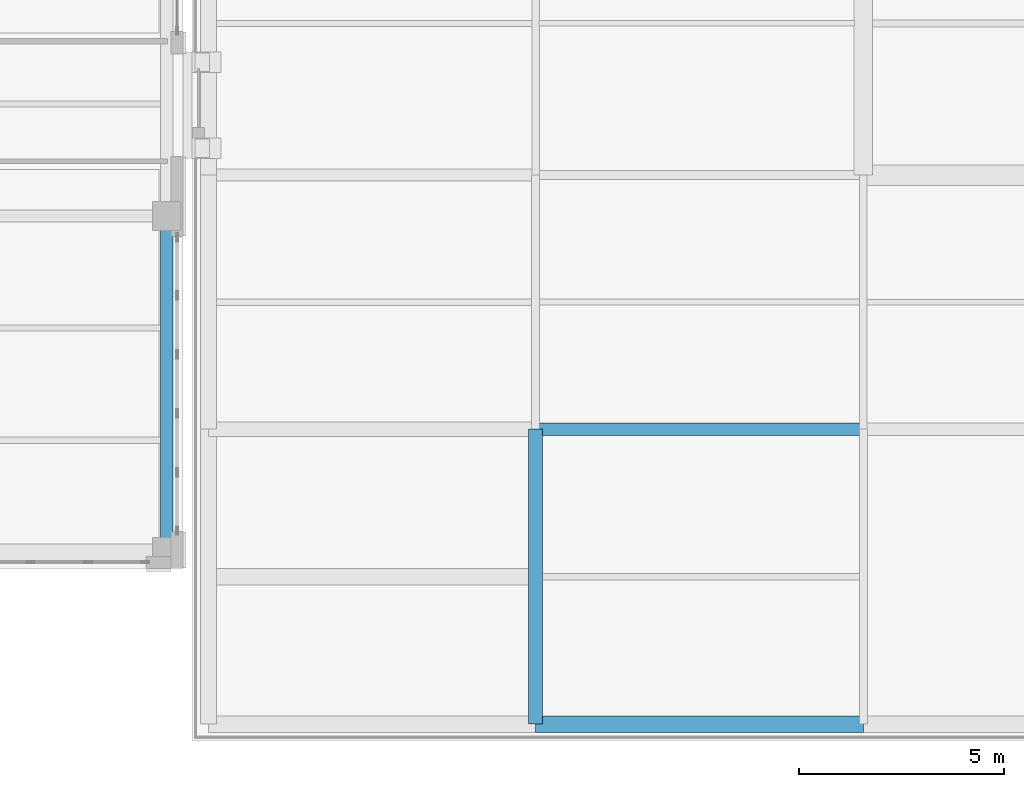
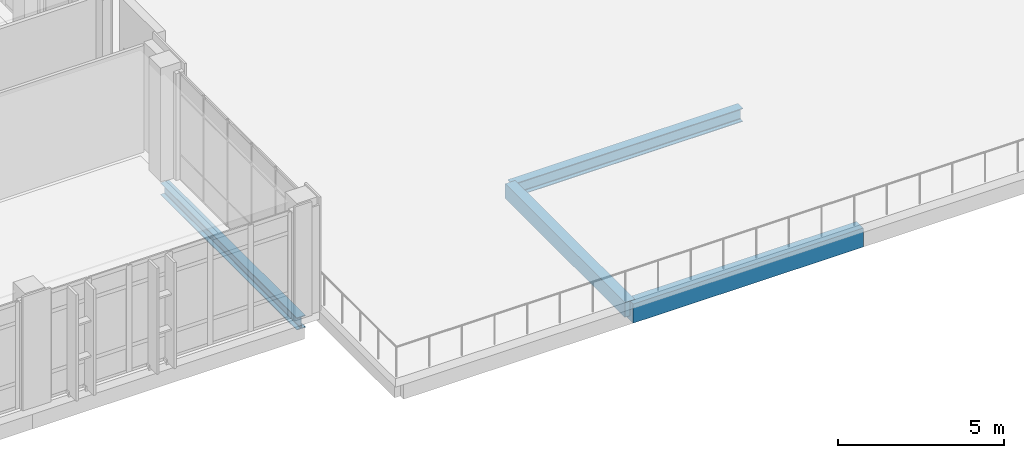
# One storey, part 48 of 165: 4 beams.
"""IFC4 building model written with IfcOpenShell, lengths in metres."""

from ifc_helpers import new_model, si_unit, direction, frame, origin, origin_2d, place, context, subcontext, project, spatial, rectangle, i_section, extrude, material, material_profile, profile_set, type_object, element, save


model = new_model("IFC4")

# Units and contexts
model_context = context("Model", 3, precision=1e-05, world=origin(), true_north=direction((0.0, 1.0)))
body_context = subcontext(model_context, "Body", "Model", "MODEL_VIEW")
ifc_project = project(units=[si_unit("LENGTHUNIT", "METRE"), si_unit("AREAUNIT", "SQUARE_METRE"), si_unit("VOLUMEUNIT", "CUBIC_METRE"), si_unit("PLANEANGLEUNIT", "RADIAN"), si_unit("MASSUNIT", "GRAM", prefix="KILO")], contexts=[model_context])

# Site, building, storey
site_placement = place(None, origin())
site = spatial("IfcSite", under=ifc_project, at=site_placement, CompositionType="ELEMENT")
building_placement = place(site_placement, origin())
building = spatial("IfcBuilding", under=site, at=building_placement, Name="Qalavern Law Courts", CompositionType="ELEMENT")
storey_placement = place(building_placement, frame((0.0, 0.0, 14.39990234375)))
storey = spatial("IfcBuildingStorey", under=building, at=storey_placement, Name="L03", CompositionType="ELEMENT", Elevation=14.39990234375)

# Beams
ifc_material_1 = material(Name="Steel S355", Category="steel")
ifc_material_profile_1 = material_profile(ifc_material_1, i_section(OverallWidth=0.300048828125, OverallDepth=0.489990234375, WebThickness=0.011962890625, FlangeThickness=0.02294921875, FilletRadius=0.027099609375, at=origin_2d()), Name="HEA 500")
ifc_profile_set_1 = profile_set([ifc_material_profile_1], Name="Steel S355")
beam_type_1 = type_object("IfcBeamType", Name="STR-BM-HEA500", PredefinedType="BEAM", material=ifc_profile_set_1)
beam_1_placement = place(storey_placement, frame((109.800048828125, 8.60009765625, -0.556884765625), z_axis=(1.0, 0.0, 0.0), x_axis=(0.0, 1.0, 0.0)))
element("IfcBeam", 1, at=beam_1_placement, inside=storey, type_object=beam_type_1, Name="V6 X-beam 2-2 L03", PredefinedType="BEAM", context=body_context, shape_type="SweptSolid", body=[
    extrude(i_section(OverallWidth=0.300048828125, OverallDepth=0.489990234375, WebThickness=0.011962890625, FlangeThickness=0.02294921875, FilletRadius=0.027099609375, at=origin_2d()), origin(), (0.0, 0.0, 1.0), 8.0),
])
ifc_material_2 = material(Name="Concrete C35/45", Category="concrete")
ifc_material_profile_2 = material_profile(ifc_material_2, rectangle(XDim=0.35009765625, YDim=0.550048828125, at=origin_2d()), Name="RC 350x550")
ifc_profile_set_2 = profile_set([ifc_material_profile_2], Name="Concrete C35/45")
beam_type_2 = type_object("IfcBeamType", Name="STR-BM-RC350x550", PredefinedType="BEAM", material=ifc_profile_set_2)
beam_2_placement = place(storey_placement, frame((109.800048828125, 1.39990234375, -0.5869140625), z_axis=(0.0, 1.0, 0.0), x_axis=(-1.0, 0.0, 0.0)))
element("IfcBeam", 2, at=beam_2_placement, inside=storey, type_object=beam_type_2, Name="V6 Y-beam 2-1 L03", PredefinedType="BEAM", context=body_context, shape_type="SweptSolid", body=[
    extrude(rectangle(XDim=0.35009765625, YDim=0.550048828125, at=origin_2d()), origin(), (0.0, 0.0, 1.0), 7.2001953125),
])
ifc_material_profile_3 = material_profile(ifc_material_1, i_section(OverallWidth=0.300048828125, OverallDepth=0.449951171875, WebThickness=0.013916015625, FlangeThickness=0.02587890625, FilletRadius=0.027099609375, at=origin_2d()), Name="HEB 450")
ifc_profile_set_3 = profile_set([ifc_material_profile_3], Name="Steel S355")
beam_type_3 = type_object("IfcBeamType", Name="STR-SP-HEB450", PredefinedType="SPANDREL", material=ifc_profile_set_3)
beam_3_placement = place(storey_placement, frame((100.800048828125, 5.60009765625, -0.510009765625), z_axis=(0.0, 1.0, 0.0), x_axis=(-1.0, 0.0, 0.0)))
element("IfcBeam", 3, at=beam_3_placement, inside=storey, type_object=beam_type_3, Name="V2 Y-beam 8-1 L03", PredefinedType="SPANDREL", context=body_context, shape_type="SweptSolid", body=[
    extrude(i_section(OverallWidth=0.300048828125, OverallDepth=0.449951171875, WebThickness=0.013916015625, FlangeThickness=0.02587890625, FilletRadius=0.027099609375, at=origin_2d()), origin(), (0.0, 0.0, 1.0), 8.199951171875),
])
ifc_material_3 = material(Name="Concrete C40/50", Category="concrete")
ifc_material_profile_4 = material_profile(ifc_material_3, rectangle(XDim=0.39990234375, YDim=0.699951171875, at=origin_2d()), Name="RC 400x700")
ifc_profile_set_4 = profile_set([ifc_material_profile_4], Name="Concrete C40/50")
beam_type_4 = type_object("IfcBeamType", Name="STR-SP-RC400x700", PredefinedType="SPANDREL", material=ifc_profile_set_4)
beam_4_placement = place(storey_placement, frame((109.800048828125, 1.39990234375, -0.661865234375), z_axis=(1.0, 0.0, 0.0), x_axis=(0.0, 1.0, 0.0)))
element("IfcBeam", 4, at=beam_4_placement, inside=storey, type_object=beam_type_4, Name="V6 X-beam 1-2 L03", PredefinedType="SPANDREL", context=body_context, shape_type="SweptSolid", body=[
    extrude(rectangle(XDim=0.39990234375, YDim=0.699951171875, at=origin_2d()), origin(), (0.0, 0.0, 1.0), 8.0),
])

save(model, "model.ifc")
